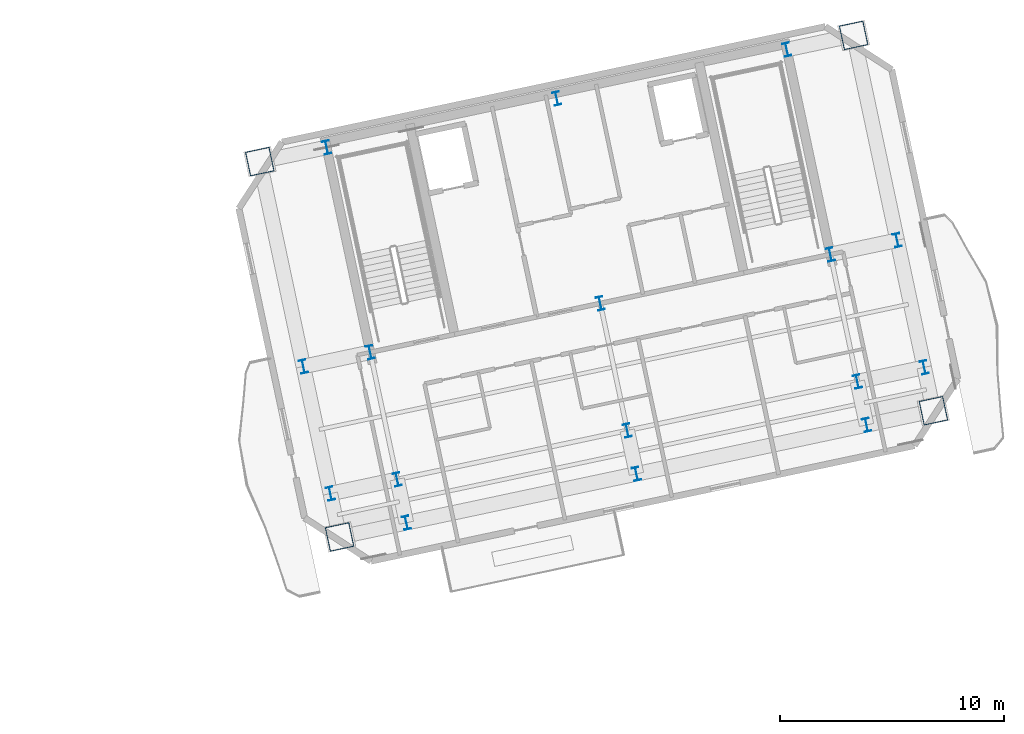
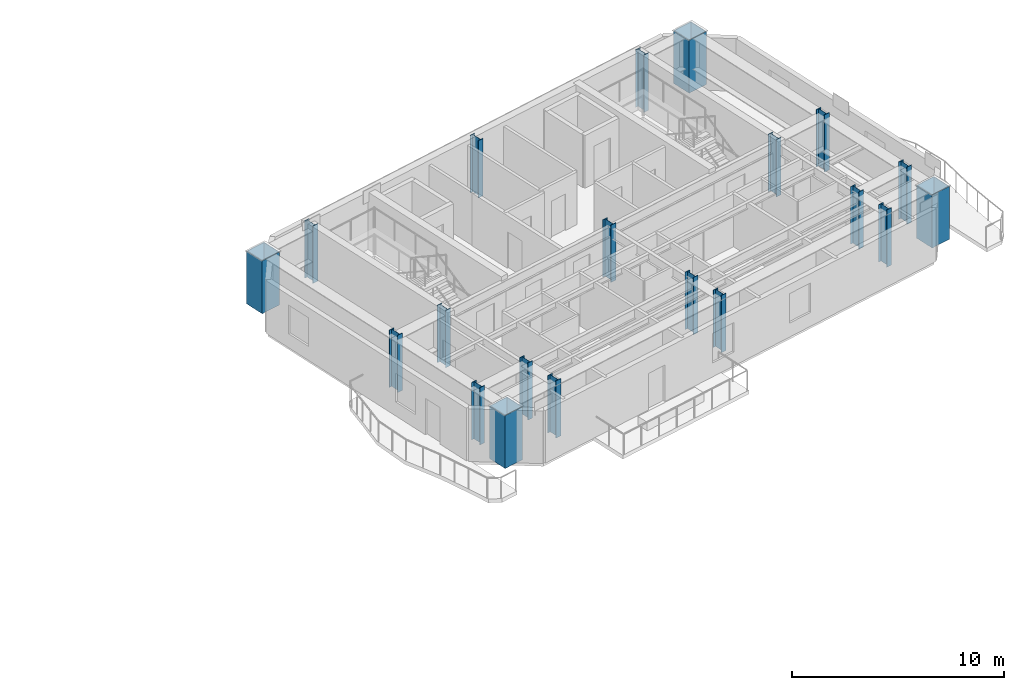
# One storey, part 2 of 16: 20 columns.
"""IFC4 building model written with IfcOpenShell, lengths in metres."""

import ifcopenshell
import ifcopenshell.guid

model = None  # the IFC model being written
_history = None  # IfcOwnerHistory: only IFC2X3 demands one
_inside = {}  # id of a spatial element -> (the spatial element, [elements in it])
_under = {}  # id of a project, library or spatial element -> (it, [spatial elements below it])
_declared = {}  # id of a project -> (the project, [libraries it declares])
_typed = {}  # id of a type object -> (the type object, [elements of that type])
_made_of = {}  # id of a material, layer set ... -> (it, [elements and type objects made of it])


def new_model(schema):
    """Start an empty IFC model of exactly this schema.

    Asked for "IFC4X3", IfcOpenShell would pick the latest addendum, in which some entities
    have other attributes; the version numbers below select the first issue.
    IFC2X3 requires an IfcOwnerHistory on every rooted entity: one is made here for all.
    """
    global model, _history
    if schema == "IFC4X3":
        model = ifcopenshell.file(schema_version=(4, 3, 0, 0))
    else:
        model = ifcopenshell.file(schema=schema)
    _inside.clear()
    _under.clear()
    _declared.clear()
    _typed.clear()
    _made_of.clear()
    _history = None
    if model.schema == "IFC2X3":
        org = make("IfcOrganization", Name="unknown")
        user = make(
            "IfcPersonAndOrganization",
            ThePerson=make("IfcPerson", FamilyName="unknown"),
            TheOrganization=org,
        )
        app = make(
            "IfcApplication",
            ApplicationDeveloper=org,
            Version="unknown",
            ApplicationFullName="unknown",
            ApplicationIdentifier="unknown",
        )
        _history = make(
            "IfcOwnerHistory",
            OwningUser=user,
            OwningApplication=app,
            ChangeAction="ADDED",
            CreationDate=0,
        )
    return model


def make(cls, **values):
    """One entity of the class cls with the attributes given. An attribute that is None is left unset."""
    return model.create_entity(
        cls, **{name: value for name, value in values.items() if value is not None}
    )


def rooted(cls, **values):
    """An entity with a GlobalId (a new one), such as an element, a storey or a relation."""
    return make(cls, GlobalId=ifcopenshell.guid.new(), OwnerHistory=_history, **values)


def si_unit(unit_type, name, prefix=None):
    """IfcSIUnit, for example si_unit("LENGTHUNIT", "METRE", prefix="MILLI")."""
    return make("IfcSIUnit", UnitType=unit_type, Prefix=prefix, Name=name)


def assignment(units):
    """IfcUnitAssignment: the units of a project."""
    return None if units is None else make("IfcUnitAssignment", Units=units)


def point(xyz):
    """IfcCartesianPoint."""
    return None if xyz is None else make("IfcCartesianPoint", Coordinates=xyz)


def direction(xyz):
    """IfcDirection."""
    return None if xyz is None else make("IfcDirection", DirectionRatios=xyz)


def frame(location, z_axis=None, x_axis=None):
    """IfcAxis2Placement3D, a coordinate frame: its origin and axes. An axis left out is left unset."""
    return make(
        "IfcAxis2Placement3D",
        Location=point(location),
        Axis=direction(z_axis),
        RefDirection=direction(x_axis),
    )


def frame_2d(location, x_axis=None):
    """IfcAxis2Placement2D, a coordinate frame in the plane: its origin and x axis."""
    return make(
        "IfcAxis2Placement2D", Location=point(location), RefDirection=direction(x_axis)
    )


def origin():
    """The frame at (0, 0, 0) with its axes left unset."""
    return frame((0.0, 0.0, 0.0))


def origin_2d():
    """The frame at (0, 0) in the plane with its x axis left unset."""
    return frame_2d((0.0, 0.0))


def place(relative_to, where):
    """IfcLocalPlacement: puts the frame where relative to a parent placement (None: the world)."""
    return make(
        "IfcLocalPlacement", PlacementRelTo=relative_to, RelativePlacement=where
    )


def context(
    kind, dimensions, precision=None, world=None, true_north=None, identifier=None
):
    """IfcGeometricRepresentationContext, for example the 3D "Model" context."""
    return make(
        "IfcGeometricRepresentationContext",
        ContextIdentifier=identifier,
        ContextType=kind,
        CoordinateSpaceDimension=dimensions,
        Precision=precision,
        WorldCoordinateSystem=world,
        TrueNorth=true_north,
    )


def subcontext(parent, identifier, kind, view, scale=None):
    """IfcGeometricRepresentationSubContext, for example "Body" below "Model"."""
    return make(
        "IfcGeometricRepresentationSubContext",
        ContextIdentifier=identifier,
        ContextType=kind,
        ParentContext=parent,
        TargetScale=scale,
        TargetView=view,
    )


def project(units=None, contexts=None):
    """IfcProject with its units and contexts."""
    return rooted(
        "IfcProject",
        Name="project",
        RepresentationContexts=contexts,
        UnitsInContext=assignment(units),
    )


def spatial(cls, under=None, at=None, **own):
    """A site, building, storey or space (cls), placed at a placement, below another one or the project."""
    s = rooted(cls, ObjectPlacement=at, **own)
    if under is not None:
        _under.setdefault(under.id(), (under, []))[1].append(s)
    return s


def profile(cls, at=None, kind="AREA", **sizes):
    """A parametric profile (cls). Its sizes go by their IFC names, for example OverallWidth=200.0."""
    return make(cls, ProfileType=kind, Position=at, **sizes)


def hollow_rectangle(**sizes):
    """IfcRectangleHollowProfileDef."""
    return profile("IfcRectangleHollowProfileDef", **sizes)


def i_section(**sizes):
    """IfcIShapeProfileDef."""
    return profile("IfcIShapeProfileDef", **sizes)


def extrude(swept, where, along, depth):
    """IfcExtrudedAreaSolid: the profile swept, set in the frame where, extruded along a direction by depth."""
    return make(
        "IfcExtrudedAreaSolid",
        SweptArea=swept,
        Position=where,
        ExtrudedDirection=direction(along),
        Depth=depth,
    )


def shape(context_of_items, identifier, shape_type, items):
    """IfcShapeRepresentation: the items that make up one representation, for example the "Body"."""
    return make(
        "IfcShapeRepresentation",
        ContextOfItems=context_of_items,
        RepresentationIdentifier=identifier,
        RepresentationType=shape_type,
        Items=items,
    )


def material(Name=None, Category=None):
    """IfcMaterial."""
    return make("IfcMaterial", Name=Name, Category=Category)


def material_profile(
    of_material, cross_section, Name=None, Category=None, Priority=None
):
    """IfcMaterialProfile: a cross section and its material."""
    return make(
        "IfcMaterialProfile",
        Name=Name,
        Material=of_material,
        Profile=cross_section,
        Priority=Priority,
        Category=Category,
    )


def profile_set(profiles, Name=None, composite=None):
    """IfcMaterialProfileSet."""
    return make(
        "IfcMaterialProfileSet",
        Name=Name,
        MaterialProfiles=profiles,
        CompositeProfile=composite,
    )


def made_of(thing, what):
    """Note that an element or type object is made of a material, layer set ...; save() writes the relation."""
    if what is not None:
        _made_of.setdefault(what.id(), (what, []))[1].append(thing)
    return thing


def type_object(cls, material=None, **own):
    """A type object (cls), such as IfcWallType, which elements share."""
    return made_of(rooted(cls, **own), material)


def element(
    cls,
    number,
    at=None,
    inside=None,
    cuts=None,
    type_object=None,
    material=None,
    context=None,
    identifier="Body",
    shape_type=None,
    held_by="IfcProductDefinitionShape",
    body=None,
    shapes=None,
    **own,
):
    """One element of the class cls, such as IfcWall. Its Tag is "e" and its number.

    at: its placement. inside: the storey or other place that contains it. cuts: it is an
    opening in that element (IfcRelVoidsElement). A single representation is given by context,
    identifier, shape_type and body (its items); several are given by shapes. held_by: the class
    of the entity that holds the representations. save() writes the other relations.
    """
    e = rooted(cls, Tag="e%d" % number, ObjectPlacement=at, **own)
    if body is not None:
        shapes = [shape(context, identifier, shape_type, body)]
    if shapes is not None:
        e.Representation = make(held_by, Representations=shapes)
    if inside is not None:
        _inside.setdefault(inside.id(), (inside, []))[1].append(e)
    if cuts is not None:
        rooted(
            "IfcRelVoidsElement", RelatingBuildingElement=cuts, RelatedOpeningElement=e
        )
    if type_object is not None:
        _typed.setdefault(type_object.id(), (type_object, []))[1].append(e)
    return made_of(e, material)


def aggregate(whole, parts):
    """IfcRelAggregates: a whole, such as a stair, and the parts it consists of."""
    return rooted("IfcRelAggregates", RelatingObject=whole, RelatedObjects=parts)


def save(model, path):
    """Write the relations noted so far, then the file.

    IfcRelAggregates (storeys below a building ...), IfcRelContainedInSpatialStructure (elements
    in a storey), IfcRelDefinesByType, IfcRelAssociatesMaterial and IfcRelDeclares: one each for
    every whole, place, type object, material and project.
    """
    for whole, parts in _under.values():
        aggregate(whole, parts)
    for where, things in _inside.values():
        rooted(
            "IfcRelContainedInSpatialStructure",
            RelatedElements=things,
            RelatingStructure=where,
        )
    for kind, things in _typed.values():
        rooted("IfcRelDefinesByType", RelatedObjects=things, RelatingType=kind)
    for what, things in _made_of.values():
        rooted("IfcRelAssociatesMaterial", RelatedObjects=things, RelatingMaterial=what)
    for by, libraries in _declared.values():
        rooted("IfcRelDeclares", RelatingContext=by, RelatedDefinitions=libraries)
    model.write(path)


model = new_model("IFC4")

# Units and contexts
model_context = context("Model", 3, precision=1e-05, world=origin(), true_north=direction((0.0, 1.0)))
body_context = subcontext(model_context, "Body", "Model", "MODEL_VIEW")
ifc_project = project(units=[si_unit("LENGTHUNIT", "METRE"), si_unit("AREAUNIT", "SQUARE_METRE"), si_unit("VOLUMEUNIT", "CUBIC_METRE"), si_unit("PLANEANGLEUNIT", "RADIAN"), si_unit("MASSUNIT", "GRAM", prefix="KILO")], contexts=[model_context])

# Site, building, storey
site_placement = place(None, origin())
site = spatial("IfcSite", under=ifc_project, at=site_placement, CompositionType="ELEMENT")
building_placement = place(site_placement, origin())
building = spatial("IfcBuilding", under=site, at=building_placement, Name="Haevon Station Towers", CompositionType="ELEMENT")
storey_placement = place(building_placement, frame((0.0, 0.0, 215.39990234375)))
storey = spatial("IfcBuildingStorey", under=building, at=storey_placement, Name="L59", CompositionType="ELEMENT", Elevation=215.39990234375)

# Columns
ifc_material_1 = material(Name="Steel S460", Category="steel")
ifc_material_profile_1 = material_profile(ifc_material_1, hollow_rectangle(XDim=1.10009765625, YDim=1.10009765625, WallThickness=0.031982421875, at=origin_2d()), Name="BOX-1100x1100x32")
ifc_profile_set_1 = profile_set([ifc_material_profile_1], Name="Steel S460")
column_type_1 = type_object("IfcColumnType", Name="COL-MC5", PredefinedType="COLUMN", material=ifc_profile_set_1)
for number, where, z_axis, x_axis, name in (
    (1, (97.386474609375, 29.1982421875, 0.0), (0.0, 0.0, 1.0), (0.978147600734, 0.207911690818, 0.0), "COL-T2-L59-01-01"),
    (2, (93.824951171875, 45.953857421875, 0.0), (0.0, 0.0, 1.0), (0.978147600734, 0.207911690818, 0.0), "COL-T2-L59-01-04"),
    (3, (123.894287109375, 34.832763671875, 0.0), (0.0, 0.0, 1.0), (0.978147600734, 0.207911690818, 0.0), "COL-T2-L59-05-01"),
    (4, (120.332763671875, 51.58837890625, 0.0), (0.0, 0.0, 1.0), (0.978147600734, 0.207911690818, 0.0), "COL-T2-L59-05-04"),
):
    element("IfcColumn", number, at=place(storey_placement, frame(where, z_axis=z_axis, x_axis=x_axis)), inside=storey, type_object=column_type_1, Name=name, PredefinedType="COLUMN", context=body_context, shape_type="SweptSolid", body=[
        extrude(hollow_rectangle(XDim=1.10009765625, YDim=1.10009765625, WallThickness=0.031982421875, at=origin_2d()), origin(), (0.0, 0.0, 1.0), 3.050048828125),
    ])
ifc_material_2 = material(Name="Steel S355", Category="steel")
ifc_material_profile_2 = material_profile(ifc_material_2, i_section(OverallWidth=0.300048828125, OverallDepth=0.60009765625, WebThickness=0.013916015625, FlangeThickness=0.02490234375, at=origin_2d()), Name="H-600x300x14x25")
ifc_profile_set_2 = profile_set([ifc_material_profile_2], Name="Steel S355")
column_type_2 = type_object("IfcColumnType", Name="COL-TW4", PredefinedType="COLUMN", material=ifc_profile_set_2)
for number, where, z_axis, x_axis, name in (
    (5, (96.974853515625, 31.135009765625, 0.0), (0.0, 0.0, 1.0), (0.978147600734, 0.207911690818, 0.0), "COL-T2-L59-01-02"),
    (6, (95.76904296875, 36.808349609375, 0.0), (0.0, 0.0, 1.0), (0.978147600734, 0.207911690818, 0.0), "COL-T2-L59-01-03"),
    (7, (100.369873046875, 29.83251953125, 0.0), (0.0, 0.0, 1.0), (0.978147600734, 0.207911690818, 0.0), "COL-T2-L59-02-01"),
    (8, (99.958251953125, 31.76904296875, 0.0), (0.0, 0.0, 1.0), (0.978147600734, 0.207911690818, 0.0), "COL-T2-L59-02-02"),
    (9, (98.75244140625, 37.4423828125, 0.0), (0.0, 0.0, 1.0), (0.978147600734, 0.207911690818, 0.0), "COL-T2-L59-02-03"),
    (10, (96.808349609375, 46.588134765625, 0.0), (0.0, 0.0, 1.0), (0.978147600734, 0.207911690818, 0.0), "COL-T2-L59-02-04"),
    (11, (110.640380859375, 32.015380859375, 0.0), (0.0, 0.0, 1.0), (0.978147600734, 0.207911690818, 0.0), "COL-T2-L59-03-01"),
    (12, (110.228759765625, 33.9521484375, 0.0), (0.0, 0.0, 1.0), (0.978147600734, 0.207911690818, 0.0), "COL-T2-L59-03-02"),
    (13, (109.02294921875, 39.62548828125, 0.0), (0.0, 0.0, 1.0), (0.978147600734, 0.207911690818, 0.0), "COL-T2-L59-03-03"),
    (14, (107.078857421875, 48.771240234375, 0.0), (0.0, 0.0, 1.0), (0.978147600734, 0.207911690818, 0.0), "COL-T2-L59-03-04"),
    (15, (120.910888671875, 34.198486328125, 0.0), (0.0, 0.0, 1.0), (0.978147600734, 0.207911690818, 0.0), "COL-T2-L59-04-01"),
    (16, (120.499267578125, 36.13525390625, 0.0), (0.0, 0.0, 1.0), (0.978147600734, 0.207911690818, 0.0), "COL-T2-L59-04-02"),
    (17, (119.29345703125, 41.80859375, 0.0), (0.0, 0.0, 1.0), (0.978147600734, 0.207911690818, 0.0), "COL-T2-L59-04-03"),
    (18, (117.349365234375, 50.954345703125, 0.0), (0.0, 0.0, 1.0), (0.978147600734, 0.207911690818, 0.0), "COL-T2-L59-04-04"),
    (19, (123.482666015625, 36.76953125, 0.0), (0.0, 0.0, 1.0), (0.978147600734, 0.207911690818, 0.0), "COL-T2-L59-05-02"),
    (20, (122.27685546875, 42.442626953125, 0.0), (0.0, 0.0, 1.0), (0.978147600734, 0.207911690818, 0.0), "COL-T2-L59-05-03"),
):
    element("IfcColumn", number, at=place(storey_placement, frame(where, z_axis=z_axis, x_axis=x_axis)), inside=storey, type_object=column_type_2, Name=name, PredefinedType="COLUMN", context=body_context, shape_type="SweptSolid", body=[
        extrude(i_section(OverallWidth=0.300048828125, OverallDepth=0.60009765625, WebThickness=0.013916015625, FlangeThickness=0.02490234375, at=origin_2d()), origin(), (0.0, 0.0, 1.0), 3.300048828125),
    ])

save(model, "model.ifc")
